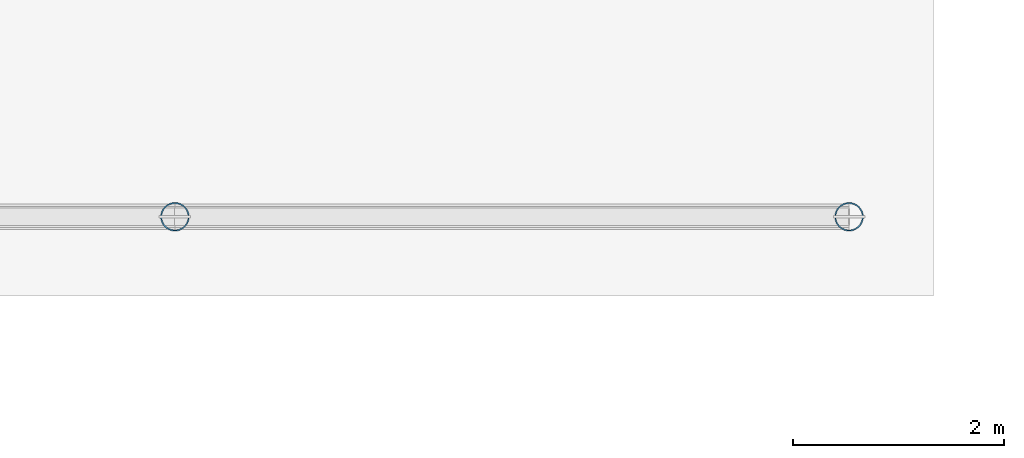
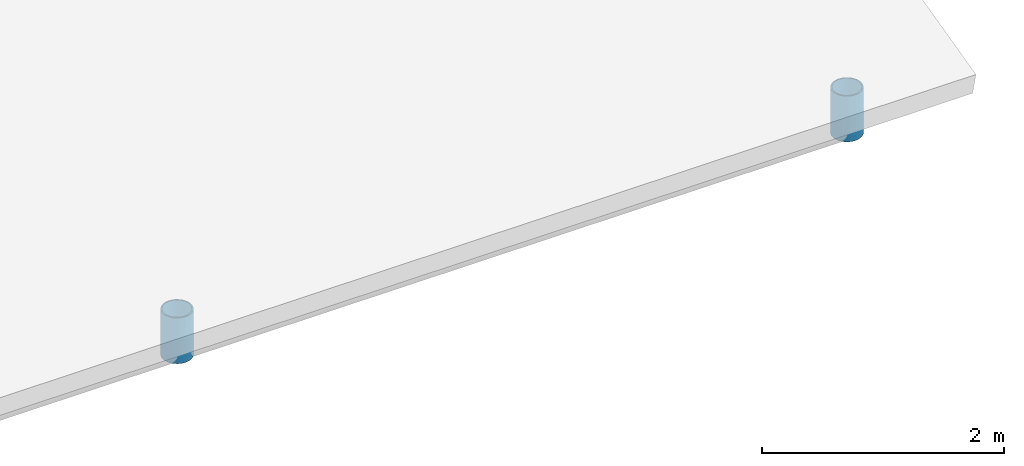
# One storey, part 14 of 91: 2 columns.
"""IFC4 building model written with IfcOpenShell, lengths in metres."""

from ifc_helpers import new_model, si_unit, direction, frame, origin, origin_2d, place, context, subcontext, project, spatial, hollow_circle, extrude, material, material_profile, profile_set, type_object, element, save


model = new_model("IFC4")

# Units and contexts
model_context = context("Model", 3, precision=1e-05, world=origin(), true_north=direction((0.0, 1.0)))
body_context = subcontext(model_context, "Body", "Model", "MODEL_VIEW")
ifc_project = project(units=[si_unit("LENGTHUNIT", "METRE"), si_unit("AREAUNIT", "SQUARE_METRE"), si_unit("VOLUMEUNIT", "CUBIC_METRE"), si_unit("PLANEANGLEUNIT", "RADIAN"), si_unit("MASSUNIT", "GRAM", prefix="KILO")], contexts=[model_context])

# Site, building, storey
site_placement = place(None, origin())
site = spatial("IfcSite", under=ifc_project, at=site_placement, CompositionType="ELEMENT")
building_placement = place(site_placement, origin())
building = spatial("IfcBuilding", under=site, at=building_placement, Name="Valcora Specialist Clinic", CompositionType="ELEMENT")
storey_placement = place(building_placement, frame((0.0, 0.0, 13.60009765625)))
storey = spatial("IfcBuildingStorey", under=building, at=storey_placement, Name="L03", CompositionType="ELEMENT", Elevation=13.60009765625)

# Columns
ifc_material = material(Name="Steel ASTM A500 Grade C", Category="steel")
ifc_material_profile = material_profile(ifc_material, hollow_circle(Radius=0.136474609375, WallThickness=0.011962890625, at=origin_2d()), Name="ST-CHS-273X12")
ifc_profile_set = profile_set([ifc_material_profile], Name="Steel ASTM A500 Grade C")
column_type = type_object("IfcColumnType", Name="TY-COL-CHS273", PredefinedType="COLUMN", material=ifc_profile_set)
for number, where, z_axis, x_axis, name in (
    (1, (38.39990234375, 80.949951171875, 0.0), (0.0, 0.0, 1.0), (1.0, 0.0, 0.0), "Folded roof stub post 38.4-80.95"),
    (2, (44.800048828125, 80.949951171875, 0.0), (0.0, 0.0, 1.0), (1.0, 0.0, 0.0), "Folded roof stub post 44.8-80.95"),
):
    element("IfcColumn", number, at=place(storey_placement, frame(where, z_axis=z_axis, x_axis=x_axis)), inside=storey, type_object=column_type, Name=name, PredefinedType="COLUMN", context=body_context, shape_type="SweptSolid", body=[
        extrude(hollow_circle(Radius=0.136474609375, WallThickness=0.011962890625, at=origin_2d()), origin(), (0.0, 0.0, 1.0), 0.4619140625),
    ])

save(model, "model.ifc")
